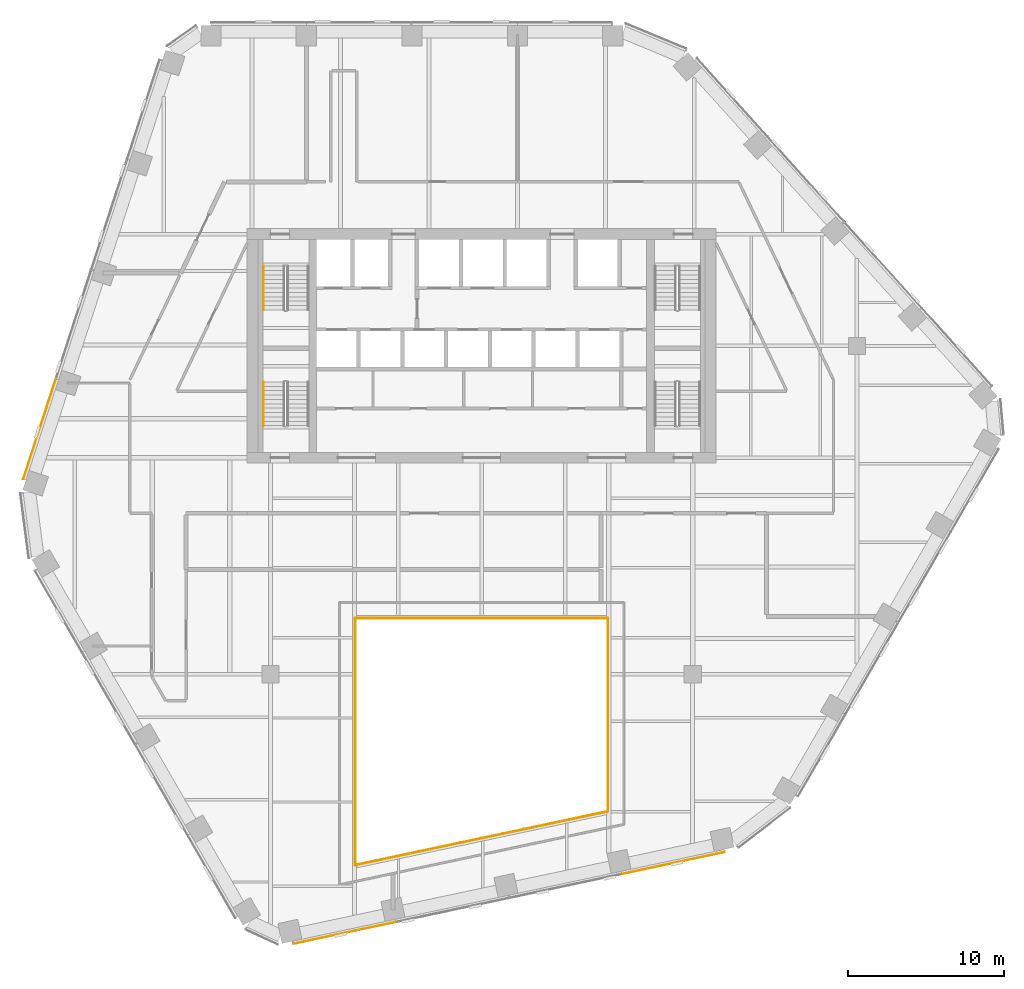
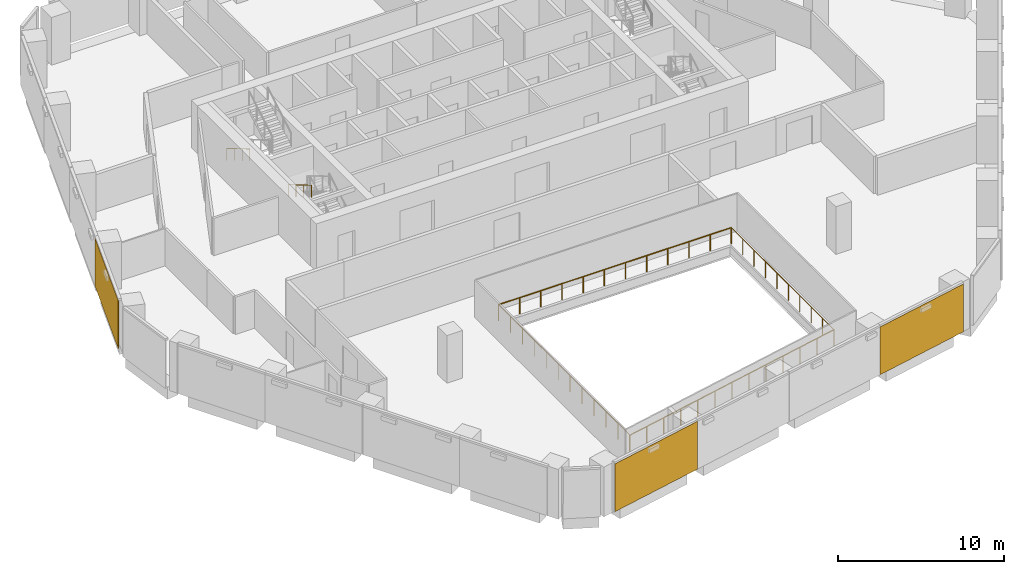
# One storey, part 15 of 17: 6 railings, 3 coverings, 2 elements without a shape of their own.
"""IFC4 building model written with IfcOpenShell, lengths in metres."""

from ifc_helpers import new_model, si_unit, direction, frame, origin, origin_2d, place, context, subcontext, project, spatial, rectangle, circle, extrude, material, layer, layer_set, type_object, element, aggregate, save


model = new_model("IFC4")

# Units and contexts
model_context = context("Model", 3, precision=1e-05, world=origin(), true_north=direction((0.0, 1.0)))
body_context = subcontext(model_context, "Body", "Model", "MODEL_VIEW")
ifc_project = project(units=[si_unit("LENGTHUNIT", "METRE"), si_unit("AREAUNIT", "SQUARE_METRE"), si_unit("VOLUMEUNIT", "CUBIC_METRE"), si_unit("PLANEANGLEUNIT", "RADIAN"), si_unit("MASSUNIT", "GRAM", prefix="KILO")], contexts=[model_context])

# Site, building, storey
site_placement = place(None, origin())
site = spatial("IfcSite", under=ifc_project, at=site_placement, CompositionType="ELEMENT")
building_placement = place(site_placement, origin())
building = spatial("IfcBuilding", under=site, at=building_placement, Name="Isthmus Gate Tower", CompositionType="ELEMENT")
storey_placement = place(building_placement, frame((0.0, 0.0, 200.0)))
storey = spatial("IfcBuildingStorey", under=building, at=storey_placement, Name="L50", CompositionType="ELEMENT", Elevation=200.0)

# Railings
ifc_material_1 = material(Name="Laminated toughened glass balustrade with steel rail", Category="steel")
railing_type_1 = type_object("IfcRailingType", Name="ATRIUM GUARD GLASS BALUSTRADE 1200", PredefinedType="GUARDRAIL", material=ifc_material_1)
railing_1_placement = place(storey_placement, frame((-8.080078125, -25.7099609375, 0.0)))
element("IfcRailing", 1, at=railing_1_placement, inside=storey, type_object=railing_type_1, Name="L50 atrium guard", PredefinedType="GUARDRAIL", context=body_context, shape_type="SweptSolid", body=[
    extrude(circle(Radius=0.02490234375, at=origin_2d()), frame((0.0, 0.0, 1.1748046875), z_axis=(0.0, 1.0, 0.0), x_axis=(-1.0, 0.0, 0.0)), (0.0, 0.0, 1.0), 15.7900390625),
    extrude(circle(Radius=0.02490234375, at=origin_2d()), origin(), (0.0, 0.0, 1.0), 1.14990234375),
    extrude(circle(Radius=0.02490234375, at=origin_2d()), frame((0.0, 1.435546875, 0.0)), (0.0, 0.0, 1.0), 1.14990234375),
    extrude(circle(Radius=0.02490234375, at=origin_2d()), frame((0.0, 2.870849609375, 0.0)), (0.0, 0.0, 1.0), 1.14990234375),
    extrude(circle(Radius=0.02490234375, at=origin_2d()), frame((0.0, 4.306396484375, 0.0)), (0.0, 0.0, 1.0), 1.14990234375),
    extrude(circle(Radius=0.02490234375, at=origin_2d()), frame((0.0, 5.741943359375, 0.0)), (0.0, 0.0, 1.0), 1.14990234375),
    extrude(circle(Radius=0.02490234375, at=origin_2d()), frame((0.0, 7.17724609375, 0.0)), (0.0, 0.0, 1.0), 1.14990234375),
    extrude(circle(Radius=0.02490234375, at=origin_2d()), frame((0.0, 8.61279296875, 0.0)), (0.0, 0.0, 1.0), 1.14990234375),
    extrude(circle(Radius=0.02490234375, at=origin_2d()), frame((0.0, 10.048095703125, 0.0)), (0.0, 0.0, 1.0), 1.14990234375),
    extrude(circle(Radius=0.02490234375, at=origin_2d()), frame((0.0, 11.483642578125, 0.0)), (0.0, 0.0, 1.0), 1.14990234375),
    extrude(circle(Radius=0.02490234375, at=origin_2d()), frame((0.0, 12.919189453125, 0.0)), (0.0, 0.0, 1.0), 1.14990234375),
    extrude(circle(Radius=0.02490234375, at=origin_2d()), frame((0.0, 14.3544921875, 0.0)), (0.0, 0.0, 1.0), 1.14990234375),
    extrude(circle(Radius=0.02490234375, at=origin_2d()), frame((0.0, 15.7900390625, 0.0)), (0.0, 0.0, 1.0), 1.14990234375),
])
railing_2_placement = place(storey_placement, frame((-8.080078125, -9.919921875, 0.0)))
element("IfcRailing", 2, at=railing_2_placement, inside=storey, type_object=railing_type_1, Name="L50 atrium guard", PredefinedType="GUARDRAIL", context=body_context, shape_type="SweptSolid", body=[
    extrude(circle(Radius=0.02490234375, at=origin_2d()), frame((0.0, 0.0, 1.1748046875), z_axis=(1.0, 0.0, 0.0), x_axis=(0.0, 1.0, 0.0)), (0.0, 0.0, 1.0), 16.16015625),
    extrude(circle(Radius=0.02490234375, at=origin_2d()), origin(), (0.0, 0.0, 1.0), 1.14990234375),
    extrude(circle(Radius=0.02490234375, at=origin_2d()), frame((1.468994140625, 0.0, 0.0)), (0.0, 0.0, 1.0), 1.14990234375),
    extrude(circle(Radius=0.02490234375, at=origin_2d()), frame((2.938232421875, 0.0, 0.0)), (0.0, 0.0, 1.0), 1.14990234375),
    extrude(circle(Radius=0.02490234375, at=origin_2d()), frame((4.4072265625, 0.0, 0.0)), (0.0, 0.0, 1.0), 1.14990234375),
    extrude(circle(Radius=0.02490234375, at=origin_2d()), frame((5.87646484375, 0.0, 0.0)), (0.0, 0.0, 1.0), 1.14990234375),
    extrude(circle(Radius=0.02490234375, at=origin_2d()), frame((7.345458984375, 0.0, 0.0)), (0.0, 0.0, 1.0), 1.14990234375),
    extrude(circle(Radius=0.02490234375, at=origin_2d()), frame((8.814697265625, 0.0, 0.0)), (0.0, 0.0, 1.0), 1.14990234375),
    extrude(circle(Radius=0.02490234375, at=origin_2d()), frame((10.28369140625, 0.0, 0.0)), (0.0, 0.0, 1.0), 1.14990234375),
    extrude(circle(Radius=0.02490234375, at=origin_2d()), frame((11.7529296875, 0.0, 0.0)), (0.0, 0.0, 1.0), 1.14990234375),
    extrude(circle(Radius=0.02490234375, at=origin_2d()), frame((13.221923828125, 0.0, 0.0)), (0.0, 0.0, 1.0), 1.14990234375),
    extrude(circle(Radius=0.02490234375, at=origin_2d()), frame((14.691162109375, 0.0, 0.0)), (0.0, 0.0, 1.0), 1.14990234375),
    extrude(circle(Radius=0.02490234375, at=origin_2d()), frame((16.16015625, 0.0, 0.0)), (0.0, 0.0, 1.0), 1.14990234375),
])
railing_3_placement = place(storey_placement, frame((8.080078125, -9.919921875, 0.0)))
element("IfcRailing", 3, at=railing_3_placement, inside=storey, type_object=railing_type_1, Name="L50 atrium guard", PredefinedType="GUARDRAIL", context=body_context, shape_type="SweptSolid", body=[
    extrude(circle(Radius=0.02490234375, at=origin_2d()), frame((0.0, 0.0, 1.1748046875), z_axis=(0.0, -1.0, 0.0), x_axis=(1.0, 0.0, 0.0)), (0.0, 0.0, 1.0), 12.35498046875),
    extrude(circle(Radius=0.02490234375, at=origin_2d()), origin(), (0.0, 0.0, 1.0), 1.14990234375),
    extrude(circle(Radius=0.02490234375, at=origin_2d()), frame((0.0, -1.372802734375, 0.0)), (0.0, 0.0, 1.0), 1.14990234375),
    extrude(circle(Radius=0.02490234375, at=origin_2d()), frame((0.0, -2.74560546875, 0.0)), (0.0, 0.0, 1.0), 1.14990234375),
    extrude(circle(Radius=0.02490234375, at=origin_2d()), frame((0.0, -4.118408203125, 0.0)), (0.0, 0.0, 1.0), 1.14990234375),
    extrude(circle(Radius=0.02490234375, at=origin_2d()), frame((0.0, -5.4912109375, 0.0)), (0.0, 0.0, 1.0), 1.14990234375),
    extrude(circle(Radius=0.02490234375, at=origin_2d()), frame((0.0, -6.86376953125, 0.0)), (0.0, 0.0, 1.0), 1.14990234375),
    extrude(circle(Radius=0.02490234375, at=origin_2d()), frame((0.0, -8.236572265625, 0.0)), (0.0, 0.0, 1.0), 1.14990234375),
    extrude(circle(Radius=0.02490234375, at=origin_2d()), frame((0.0, -9.609375, 0.0)), (0.0, 0.0, 1.0), 1.14990234375),
    extrude(circle(Radius=0.02490234375, at=origin_2d()), frame((0.0, -10.982177734375, 0.0)), (0.0, 0.0, 1.0), 1.14990234375),
    extrude(circle(Radius=0.02490234375, at=origin_2d()), frame((0.0, -12.35498046875, 0.0)), (0.0, 0.0, 1.0), 1.14990234375),
])
railing_4_placement = place(storey_placement, frame((8.080078125, -22.27490234375, 0.0)))
element("IfcRailing", 4, at=railing_4_placement, inside=storey, type_object=railing_type_1, Name="L50 atrium guard", PredefinedType="GUARDRAIL", context=body_context, shape_type="SweptSolid", body=[
    extrude(circle(Radius=0.02490234375, at=origin_2d()), frame((0.0, 0.0, 1.1748046875), z_axis=(-0.978146230105, -0.207918139013, 0.0), x_axis=(0.207918139013, -0.978146230105, 0.0)), (0.0, 0.0, 1.0), 16.521240234375),
    extrude(circle(Radius=0.02490234375, at=origin_2d()), origin(), (0.0, 0.0, 1.0), 1.14990234375),
    extrude(circle(Radius=0.02490234375, at=origin_2d()), frame((-1.3466796875, -0.2861328125, 0.0)), (0.0, 0.0, 1.0), 1.14990234375),
    extrude(circle(Radius=0.02490234375, at=origin_2d()), frame((-2.693359375, -0.572509765625, 0.0)), (0.0, 0.0, 1.0), 1.14990234375),
    extrude(circle(Radius=0.02490234375, at=origin_2d()), frame((-4.0400390625, -0.85888671875, 0.0)), (0.0, 0.0, 1.0), 1.14990234375),
    extrude(circle(Radius=0.02490234375, at=origin_2d()), frame((-5.38671875, -1.14501953125, 0.0)), (0.0, 0.0, 1.0), 1.14990234375),
    extrude(circle(Radius=0.02490234375, at=origin_2d()), frame((-6.7333984375, -1.43115234375, 0.0)), (0.0, 0.0, 1.0), 1.14990234375),
    extrude(circle(Radius=0.02490234375, at=origin_2d()), frame((-8.080078125, -1.717529296875, 0.0)), (0.0, 0.0, 1.0), 1.14990234375),
    extrude(circle(Radius=0.02490234375, at=origin_2d()), frame((-9.4267578125, -2.00390625, 0.0)), (0.0, 0.0, 1.0), 1.14990234375),
    extrude(circle(Radius=0.02490234375, at=origin_2d()), frame((-10.7734375, -2.2900390625, 0.0)), (0.0, 0.0, 1.0), 1.14990234375),
    extrude(circle(Radius=0.02490234375, at=origin_2d()), frame((-12.1201171875, -2.576171875, 0.0)), (0.0, 0.0, 1.0), 1.14990234375),
    extrude(circle(Radius=0.02490234375, at=origin_2d()), frame((-13.466796875, -2.862548828125, 0.0)), (0.0, 0.0, 1.0), 1.14990234375),
    extrude(circle(Radius=0.02490234375, at=origin_2d()), frame((-14.8134765625, -3.14892578125, 0.0)), (0.0, 0.0, 1.0), 1.14990234375),
    extrude(circle(Radius=0.02490234375, at=origin_2d()), frame((-16.16015625, -3.43505859375, 0.0)), (0.0, 0.0, 1.0), 1.14990234375),
])

# Curtain wall, covering
ifc_material_2 = material(Name="Aluminium, pale champagne anodised", Category="aluminium")
ifc_layer_1 = layer(ifc_material_2, 0.199951171875)
ifc_layer_set_1 = layer_set([ifc_layer_1], Name="CW-1 UNITISED CURTAIN WALL 200 DEEP")
curtain_wall_type = type_object("IfcCurtainWallType", Name="CW-1 UNITISED CURTAIN WALL 200 DEEP", PredefinedType="NOTDEFINED", material=ifc_layer_set_1)
curtain_wall_1_placement = place(storey_placement, origin())
curtain_wall_1 = element("IfcCurtainWall", 5, at=curtain_wall_1_placement, inside=storey, type_object=curtain_wall_type, Name="CW-1 NW L50", PredefinedType="NOTDEFINED")
ifc_material_3 = material(Name="Aluminium composite panel, pale champagne anodised", Category="aluminium")
ifc_layer_2 = layer(ifc_material_3, 0.035888671875)
ifc_layer_set_2 = layer_set([ifc_layer_2], Name="CW-1 PALE METAL PANEL 36")
covering_type = type_object("IfcCoveringType", Name="CW-1 PALE METAL PANEL 36", PredefinedType="CLADDING", material=ifc_layer_set_2)
covering_1_placement = place(storey_placement, frame((-28.281005859375, 2.178466796875, 0.0), z_axis=(0.0, 0.0, 1.0), x_axis=(-0.309016994375, -0.951056516295, 0.0)))
covering_1 = element("IfcCovering", 6, at=covering_1_placement, type_object=covering_type, Name="CW-1 pale metal panel", PredefinedType="CLADDING", context=body_context, shape_type="SweptSolid", body=[
    extrude(rectangle(XDim=6.74072265625, YDim=0.035888671875, at=origin_2d()), origin(), (0.0, 0.0, 1.0), 3.510009765625),
])
aggregate(curtain_wall_1, [covering_1])

# Curtain wall, coverings
curtain_wall_2_placement = place(storey_placement, origin())
curtain_wall_2 = element("IfcCurtainWall", 7, at=curtain_wall_2_placement, inside=storey, type_object=curtain_wall_type, Name="CW-1 S L50", PredefinedType="NOTDEFINED")
covering_2_placement = place(storey_placement, frame((-8.768798828125, -30.050048828125, 0.0), z_axis=(0.0, 0.0, 1.0), x_axis=(0.978147600734, 0.207911690818, 0.0)))
covering_2 = element("IfcCovering", 8, at=covering_2_placement, type_object=covering_type, Name="CW-1 pale metal panel", PredefinedType="CLADDING", context=body_context, shape_type="SweptSolid", body=[
    extrude(rectangle(XDim=6.680908203125, YDim=0.035888671875, at=origin_2d()), origin(), (0.0, 0.0, 1.0), 3.510009765625),
])
covering_3_placement = place(storey_placement, frame((12.25390625, -25.58154296875, 0.0), z_axis=(0.0, 0.0, 1.0), x_axis=(0.978147600734, 0.207911690818, 0.0)))
covering_3 = element("IfcCovering", 9, at=covering_3_placement, type_object=covering_type, Name="CW-1 pale metal panel", PredefinedType="CLADDING", context=body_context, shape_type="SweptSolid", body=[
    extrude(rectangle(XDim=6.74072265625, YDim=0.035888671875, at=origin_2d()), origin(), (0.0, 0.0, 1.0), 3.510009765625),
])
aggregate(curtain_wall_2, [covering_2, covering_3])

# Railings
ifc_material_4 = material(Name="Stainless steel handrail", Category="steel")
railing_type_2 = type_object("IfcRailingType", Name="STAIR HANDRAIL 900", PredefinedType="HANDRAIL", material=ifc_material_4)
for number, where, name in (
    (10, (-13.949951171875, 12.60009765625, 0.166015625), "L50 ST1 stair handrail 1"),
    (11, (-13.949951171875, 5.199951171875, 1.990966796875), "L50 ST7 stair handrail 2"),
):
    element("IfcRailing", number, at=place(storey_placement, frame(where)), inside=storey, type_object=railing_type_2, Name=name, PredefinedType="HANDRAIL", context=body_context, shape_type="SweptSolid", body=[
        extrude(circle(Radius=0.02392578125, at=origin_2d()), frame((0.0, 0.0, 0.8759765625), z_axis=(0.0, -0.860339051648, 0.50972219513), x_axis=(1.0, 0.0, 0.0)), (0.0, 0.0, 1.0), 3.254638671875),
        extrude(circle(Radius=0.02099609375, at=origin_2d()), origin(), (0.0, 0.0, 1.0), 0.851806640625),
        extrude(circle(Radius=0.02099609375, at=origin_2d()), frame((0.0, -0.933349609375, 0.552978515625)), (0.0, 0.0, 1.0), 0.851806640625),
        extrude(circle(Radius=0.02099609375, at=origin_2d()), frame((0.0, -1.86669921875, 1.10595703125)), (0.0, 0.0, 1.0), 0.851806640625),
        extrude(circle(Radius=0.02099609375, at=origin_2d()), frame((0.0, -2.800048828125, 1.658935546875)), (0.0, 0.0, 1.0), 0.851806640625),
    ])

save(model, "model.ifc")
